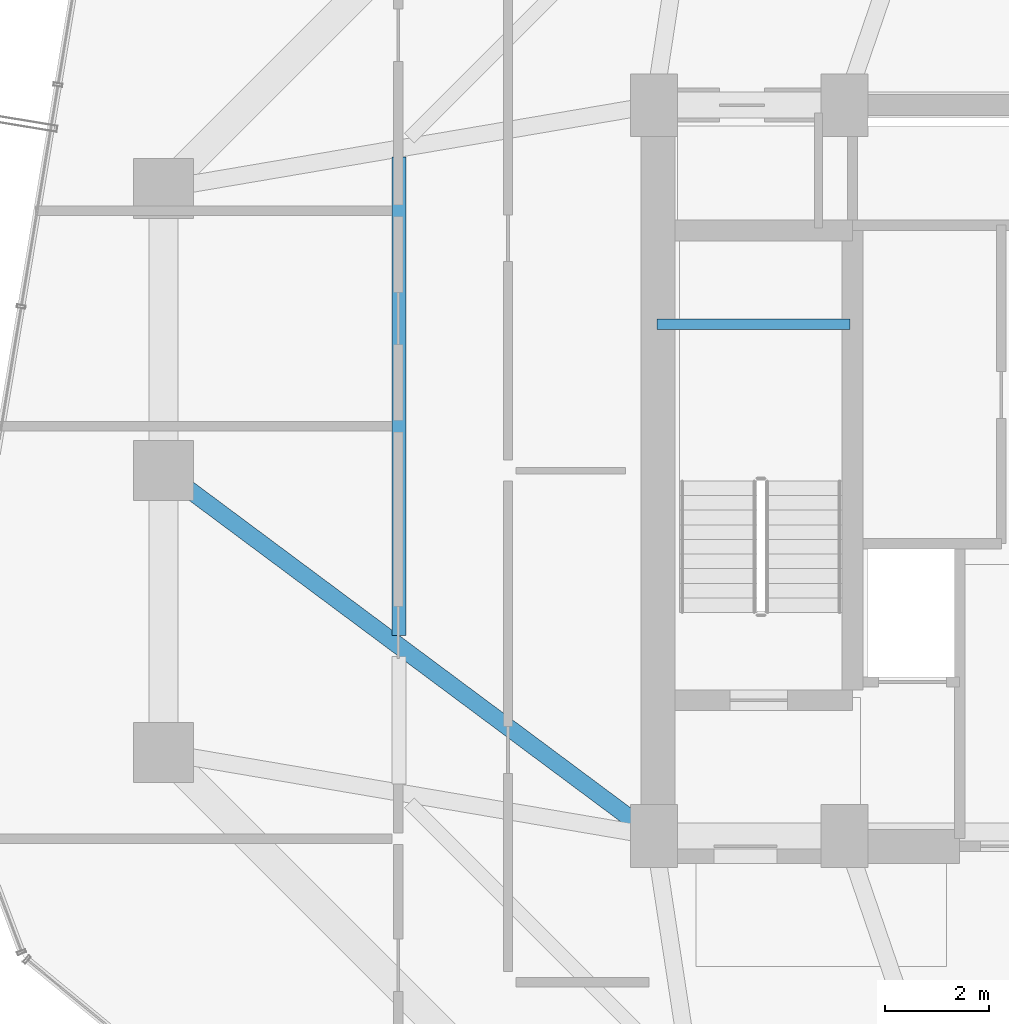
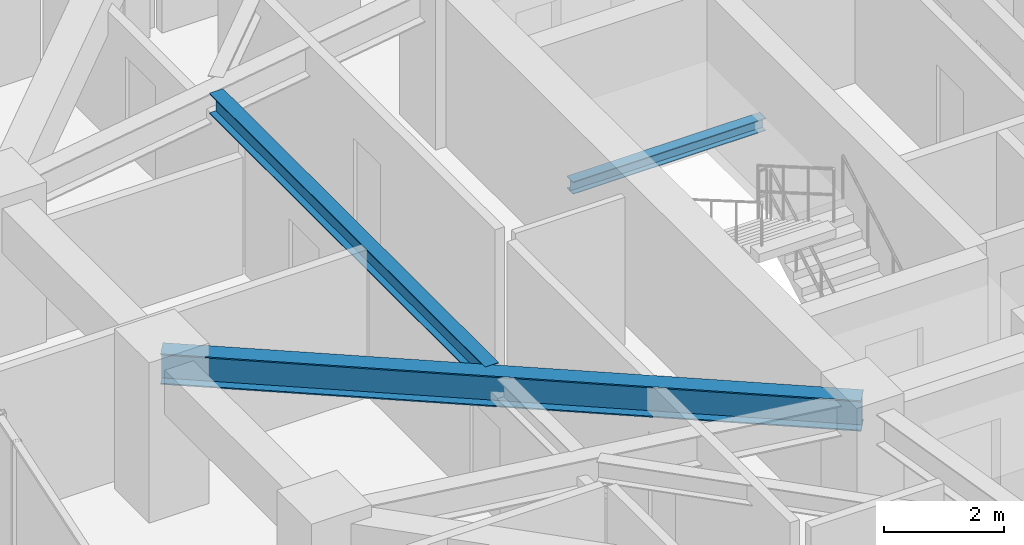
# One storey, part 11 of 30: 3 beams.
"""IFC4 building model written with IfcOpenShell, lengths in metres."""

from ifc_helpers import new_model, si_unit, direction, frame, origin, origin_2d, place, context, subcontext, project, spatial, i_section, extrude, material, material_profile, profile_set, type_object, element, save


model = new_model("IFC4")

# Units and contexts
model_context = context("Model", 3, precision=1e-05, world=origin(), true_north=direction((0.0, 1.0)))
body_context = subcontext(model_context, "Body", "Model", "MODEL_VIEW")
ifc_project = project(units=[si_unit("LENGTHUNIT", "METRE"), si_unit("AREAUNIT", "SQUARE_METRE"), si_unit("VOLUMEUNIT", "CUBIC_METRE"), si_unit("PLANEANGLEUNIT", "RADIAN"), si_unit("MASSUNIT", "GRAM", prefix="KILO")], contexts=[model_context])

# Site, building, storey
site_placement = place(None, origin())
site = spatial("IfcSite", under=ifc_project, at=site_placement, CompositionType="ELEMENT")
building_placement = place(site_placement, origin())
building = spatial("IfcBuilding", under=site, at=building_placement, Name="Veraguas Prism Commons", CompositionType="ELEMENT")
storey_placement = place(building_placement, frame((0.0, 0.0, 95.949951171875)))
storey = spatial("IfcBuildingStorey", under=building, at=storey_placement, Name="L26", CompositionType="ELEMENT", Elevation=95.949951171875)

# Beams
ifc_material = material(Name="Steel ASTM A992 Grade 50", Category="steel")
ifc_material_profile_1 = material_profile(ifc_material, i_section(OverallWidth=0.260986328125, OverallDepth=0.419921875, WebThickness=0.01171875, FlangeThickness=0.019287109375, at=origin_2d()), Name="W410X114")
ifc_profile_set_1 = profile_set([ifc_material_profile_1], Name="Steel ASTM A992 Grade 50")
beam_type_1 = type_object("IfcBeamType", Name="Lower Floor Joist W410x114", PredefinedType="JOIST", material=ifc_profile_set_1)
beam_1_placement = place(storey_placement, frame((12.31201171875, 30.003662109375, 2.7900390625), z_axis=(0.0, -1.0, 0.0), x_axis=(1.0, 0.0, 0.0)))
element("IfcBeam", 1, at=beam_1_placement, inside=storey, type_object=beam_type_1, Name="Composite Floor Joist L26-JS07", PredefinedType="JOIST", context=body_context, shape_type="SweptSolid", body=[
    extrude(i_section(OverallWidth=0.260986328125, OverallDepth=0.419921875, WebThickness=0.01171875, FlangeThickness=0.019287109375, at=origin_2d()), origin(), (0.0, 0.0, 1.0), 9.16162109375),
])
ifc_material_profile_2 = material_profile(ifc_material, i_section(OverallWidth=0.202880859375, OverallDepth=0.251953125, WebThickness=0.008056640625, FlangeThickness=0.013427734375, at=origin_2d()), Name="W250X58")
ifc_profile_set_2 = profile_set([ifc_material_profile_2], Name="Steel ASTM A992 Grade 50")
beam_type_2 = type_object("IfcBeamType", Name="Structural Opening Lintel W250x58", PredefinedType="LINTEL", material=ifc_profile_set_2)
beam_2_placement = place(storey_placement, frame((17.25, 26.800048828125, 1.299072265625), z_axis=(1.0, 0.0, 0.0), x_axis=(0.0, 1.0, 0.0)))
element("IfcBeam", 2, at=beam_2_placement, inside=storey, type_object=beam_type_2, Name="Stair ST-01 Half-Landing Support Beam L26-1", PredefinedType="LINTEL", context=body_context, shape_type="SweptSolid", body=[
    extrude(i_section(OverallWidth=0.202880859375, OverallDepth=0.251953125, WebThickness=0.008056640625, FlangeThickness=0.013427734375, at=origin_2d()), origin(), (0.0, 0.0, 1.0), 3.699951171875),
])
ifc_material_profile_3 = material_profile(ifc_material, i_section(OverallWidth=0.327880859375, OverallDepth=0.6220703125, WebThickness=0.015380859375, FlangeThickness=0.0244140625, at=origin_2d()), Name="W610X195")
ifc_profile_set_3 = profile_set([ifc_material_profile_3], Name="Steel ASTM A992 Grade 50")
beam_type_3 = type_object("IfcBeamType", Name="Zone 2 Radial Girder W610x195", PredefinedType="BEAM", material=ifc_profile_set_3)
beam_3_placement = place(storey_placement, frame((7.800048828125, 24.0, 2.68896484375), z_axis=(0.802040137921, -0.597270137512, 0.0), x_axis=(0.597270137512, 0.802040137921, 0.0)))
element("IfcBeam", 3, at=beam_3_placement, inside=storey, type_object=beam_type_3, Name="Radial Floor Girder L26-RD08", PredefinedType="BEAM", context=body_context, shape_type="SweptSolid", body=[
    extrude(i_section(OverallWidth=0.327880859375, OverallDepth=0.6220703125, WebThickness=0.015380859375, FlangeThickness=0.0244140625, at=origin_2d()), origin(), (0.0, 0.0, 1.0), 11.719970703125),
])

save(model, "model.ifc")
